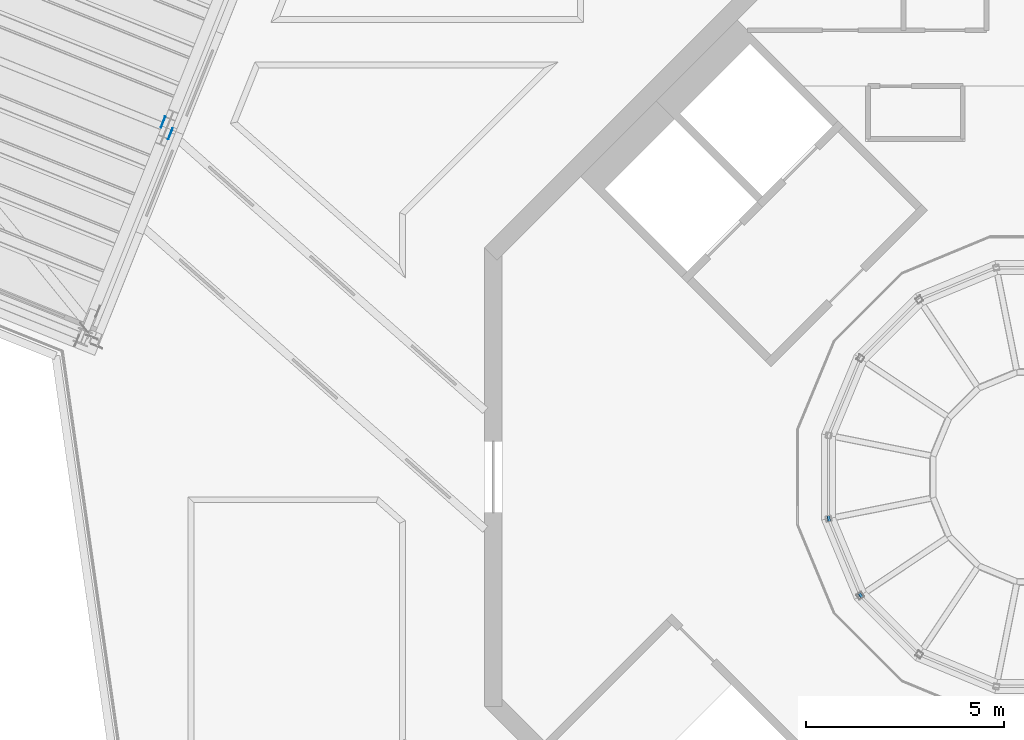
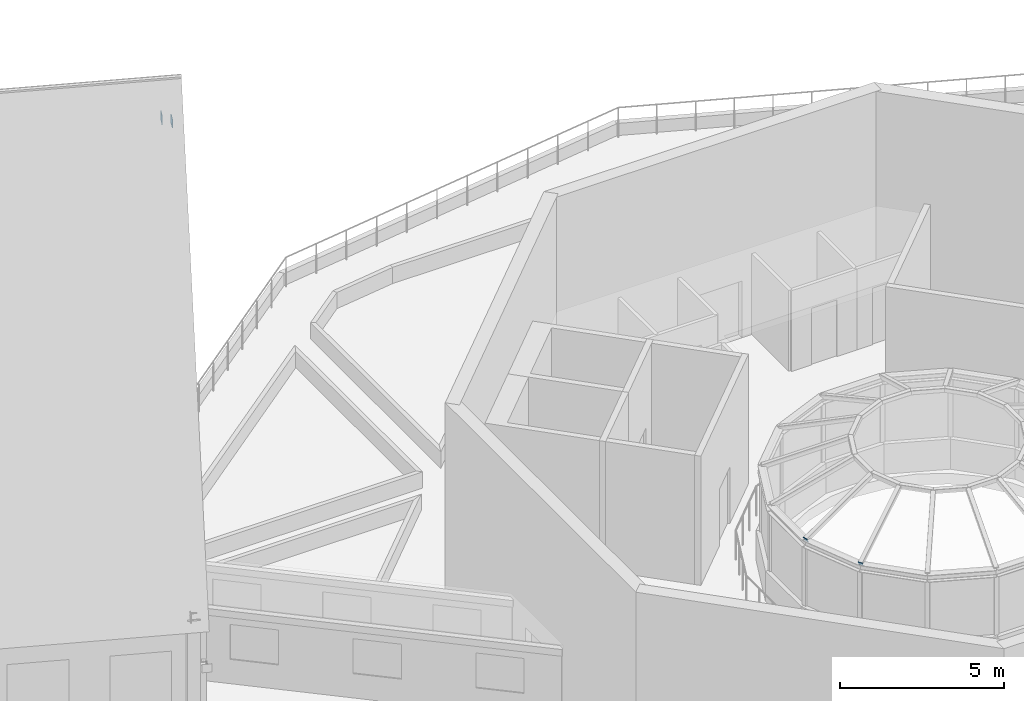
# One storey, part 21 of 32: 4 discrete accessories, 2 elements without a shape of their own.
"""IFC4 building model written with IfcOpenShell, lengths in metres."""

from ifc_helpers import new_model, si_unit, direction, frame, origin, origin_2d, place, context, subcontext, project, spatial, rectangle, extrude, material, layer, layer_set, type_object, element, aggregate, save


model = new_model("IFC4")

# Units and contexts
model_context = context("Model", 3, precision=1e-05, world=origin(), true_north=direction((0.0, 1.0)))
body_context = subcontext(model_context, "Body", "Model", "MODEL_VIEW")
ifc_project = project(units=[si_unit("LENGTHUNIT", "METRE"), si_unit("AREAUNIT", "SQUARE_METRE"), si_unit("VOLUMEUNIT", "CUBIC_METRE"), si_unit("PLANEANGLEUNIT", "RADIAN"), si_unit("MASSUNIT", "GRAM", prefix="KILO")], contexts=[model_context])

# Site, building, storey
site_placement = place(None, origin())
site = spatial("IfcSite", under=ifc_project, at=site_placement, CompositionType="ELEMENT")
building_placement = place(site_placement, origin())
building = spatial("IfcBuilding", under=site, at=building_placement, Name="Verdalira Terraces Hotel", CompositionType="ELEMENT")
storey_placement = place(building_placement, frame((0.0, 0.0, 315.0)))
storey = spatial("IfcBuildingStorey", under=building, at=storey_placement, Name="L78", CompositionType="ELEMENT", Elevation=315.0)

# Discrete accessories
for number, where, z_axis, x_axis, name in (
    (1, (-21.941895, 8.68457, 18.850098), (0.0, 0.0, 1.0), (-0.37201595, -0.928226337, 0.0), "Connection plate"),
    (2, (-22.128906, 8.978271, 18.850098), (0.0, 0.0, 1.0), (0.37201595, 0.928226337, 0.0), "Connection plate"),
):
    element("IfcDiscreteAccessory", number, at=place(storey_placement, frame(where, z_axis=z_axis, x_axis=x_axis)), inside=storey, Name=name, PredefinedType="BRACKET", context=body_context, shape_type="SweptSolid", body=[
        extrude(rectangle(XDim=0.300049, YDim=0.016113, at=origin_2d()), origin(), (0.0, 0.0, 1.0), 0.300049),
    ])

# Curtain wall, discrete accessory
ifc_material = material(Name="Clear laminated glass", Category="glass")
ifc_layer = layer(ifc_material, 0.14990234375)
ifc_layer_set = layer_set([ifc_layer], Name="Atrium lantern curtain wall")
curtain_wall_type = type_object("IfcCurtainWallType", Name="Atrium lantern curtain wall", PredefinedType="NOTDEFINED", material=ifc_layer_set)
curtain_wall_1_placement = place(storey_placement, origin())
curtain_wall_1 = element("IfcCurtainWall", 3, at=curtain_wall_1_placement, inside=storey, type_object=curtain_wall_type, Name="Atrium lantern curtain wall facet 9", PredefinedType="NOTDEFINED")
discrete_accessory_1_placement = place(storey_placement, frame((-5.296143, -1.053467, 3.526611), z_axis=(0.898146239, 0.163299316, 0.40824829), x_axis=(-0.178885438, 0.98386991, 0.0)))
discrete_accessory_1 = element("IfcDiscreteAccessory", 4, at=discrete_accessory_1_placement, Name="End cap plate", PredefinedType="ANCHORPLATE", context=body_context, shape_type="SweptSolid", body=[
    extrude(rectangle(XDim=0.152344, YDim=0.152344, at=origin_2d()), origin(), (0.0, 0.0, 1.0), 0.011963),
])
aggregate(curtain_wall_1, [discrete_accessory_1])

curtain_wall_2_placement = place(storey_placement, origin())
curtain_wall_2 = element("IfcCurtainWall", 5, at=curtain_wall_2_placement, inside=storey, type_object=curtain_wall_type, Name="Atrium lantern curtain wall facet 10", PredefinedType="NOTDEFINED")
discrete_accessory_2_placement = place(storey_placement, frame((-4.48999, -3.0, 3.526611), z_axis=(0.764756279, 0.503129131, 0.402503305), x_axis=(-0.549616501, 0.835417082, 0.0)))
discrete_accessory_2 = element("IfcDiscreteAccessory", 6, at=discrete_accessory_2_placement, Name="End cap plate", PredefinedType="ANCHORPLATE", context=body_context, shape_type="SweptSolid", body=[
    extrude(rectangle(XDim=0.152344, YDim=0.152344, at=origin_2d()), origin(), (0.0, 0.0, 1.0), 0.012207),
])
aggregate(curtain_wall_2, [discrete_accessory_2])

save(model, "model.ifc")
